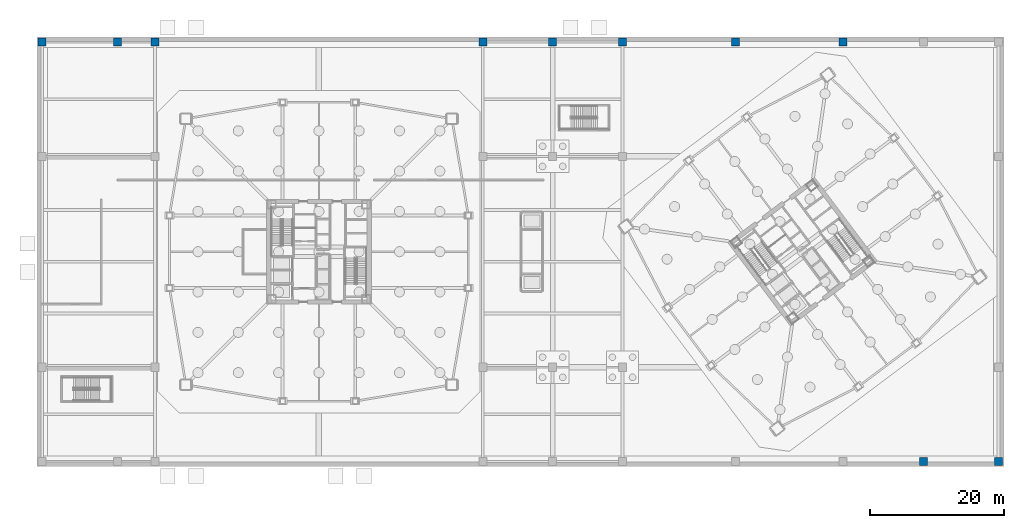
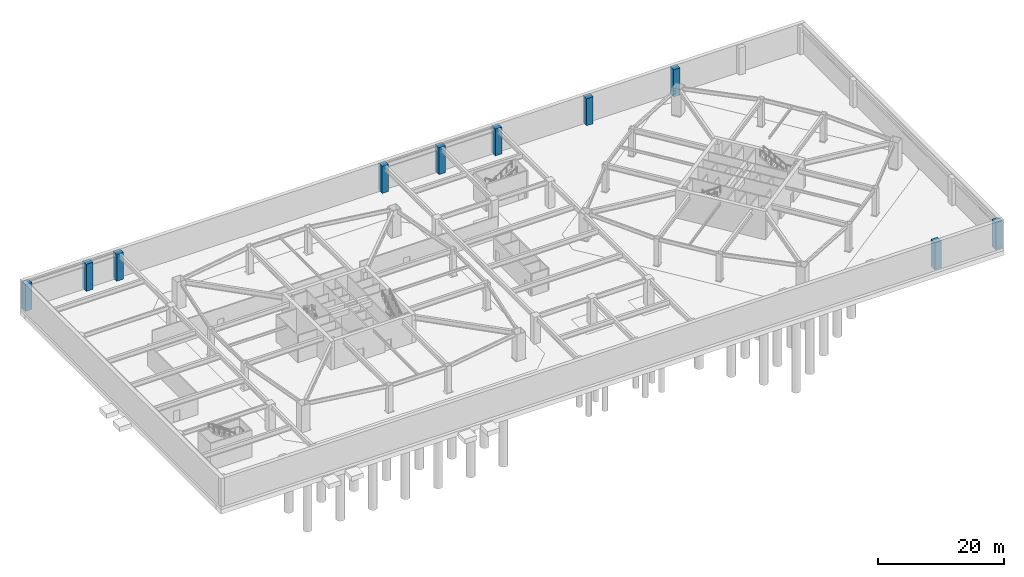
# One storey, part 4 of 19: 10 columns.
"""IFC4 building model written with IfcOpenShell, lengths in metres."""

from ifc_helpers import new_model, si_unit, direction, frame, origin, origin_2d, place, context, subcontext, project, spatial, rectangle, extrude, material, material_profile, profile_set, type_object, element, save


model = new_model("IFC4")

# Units and contexts
model_context = context("Model", 3, precision=1e-05, world=origin(), true_north=direction((0.0, 1.0)))
body_context = subcontext(model_context, "Body", "Model", "MODEL_VIEW")
ifc_project = project(units=[si_unit("LENGTHUNIT", "METRE"), si_unit("AREAUNIT", "SQUARE_METRE"), si_unit("VOLUMEUNIT", "CUBIC_METRE"), si_unit("PLANEANGLEUNIT", "RADIAN"), si_unit("MASSUNIT", "GRAM", prefix="KILO")], contexts=[model_context])

# Site, building, storey
site_placement = place(None, origin())
site = spatial("IfcSite", under=ifc_project, at=site_placement, CompositionType="ELEMENT")
building_placement = place(site_placement, origin())
building = spatial("IfcBuilding", under=site, at=building_placement, Name="Tashvorn Skyway Center", CompositionType="ELEMENT")
storey_placement = place(building_placement, frame((0.0, 0.0, -11.0)))
storey = spatial("IfcBuildingStorey", under=building, at=storey_placement, Name="B2", CompositionType="ELEMENT", Elevation=-11.0)

# Columns
ifc_material = material(Name="Concrete C50/60", Category="concrete")
ifc_material_profile = material_profile(ifc_material, rectangle(XDim=1.199951171875, YDim=1.199951171875, at=origin_2d()), Name="RC1200x1200")
ifc_profile_set = profile_set([ifc_material_profile], Name="Concrete C50/60")
column_type = type_object("IfcColumnType", Name="COL-RC1200x1200", PredefinedType="COLUMN", material=ifc_profile_set)
for number, where, z_axis, x_axis, name in (
    (1, (0.800048828125, 63.199951171875, 0.0), (0.0, 0.0, 1.0), (1.0, 0.0, 0.0), "B2 Podium Column PC-01-2"),
    (2, (12.0, 63.199951171875, 0.0), (0.0, 0.0, 1.0), (1.0, 0.0, 0.0), "B2 Podium Column PC-02-2"),
    (3, (17.60009765625, 63.199951171875, 0.0), (0.0, 0.0, 1.0), (1.0, 0.0, 0.0), "B2 Podium Column PC-03-2"),
    (4, (66.39990234375, 63.199951171875, 0.0), (0.0, 0.0, 1.0), (1.0, 0.0, 0.0), "B2 Podium Column PC-04-2"),
    (5, (76.800048828125, 63.199951171875, 0.0), (0.0, 0.0, 1.0), (1.0, 0.0, 0.0), "B2 Podium Column PC-05-2"),
    (6, (87.199951171875, 63.199951171875, 0.0), (0.0, 0.0, 1.0), (1.0, 0.0, 0.0), "B2 Podium Column PC-06-2"),
    (7, (104.0, 63.199951171875, 0.0), (0.0, 0.0, 1.0), (1.0, 0.0, 0.0), "B2 Podium Column PC-07-2"),
    (8, (120.0, 63.199951171875, 0.0), (0.0, 0.0, 1.0), (1.0, 0.0, 0.0), "B2 Podium Column PC-08-2"),
    (9, (132.0, 0.800048828125, 0.0), (0.0, 0.0, 1.0), (1.0, 0.0, 0.0), "B2 Podium Column PC-09-1"),
    (10, (143.199951171875, 0.800048828125, 0.0), (0.0, 0.0, 1.0), (1.0, 0.0, 0.0), "B2 Podium Column PC-10-1"),
):
    element("IfcColumn", number, at=place(storey_placement, frame(where, z_axis=z_axis, x_axis=x_axis)), inside=storey, type_object=column_type, Name=name, PredefinedType="COLUMN", context=body_context, shape_type="SweptSolid", body=[
        extrude(rectangle(XDim=1.199951171875, YDim=1.199951171875, at=origin_2d()), origin(), (0.0, 0.0, 1.0), 5.239990234375),
    ])

save(model, "model.ifc")
